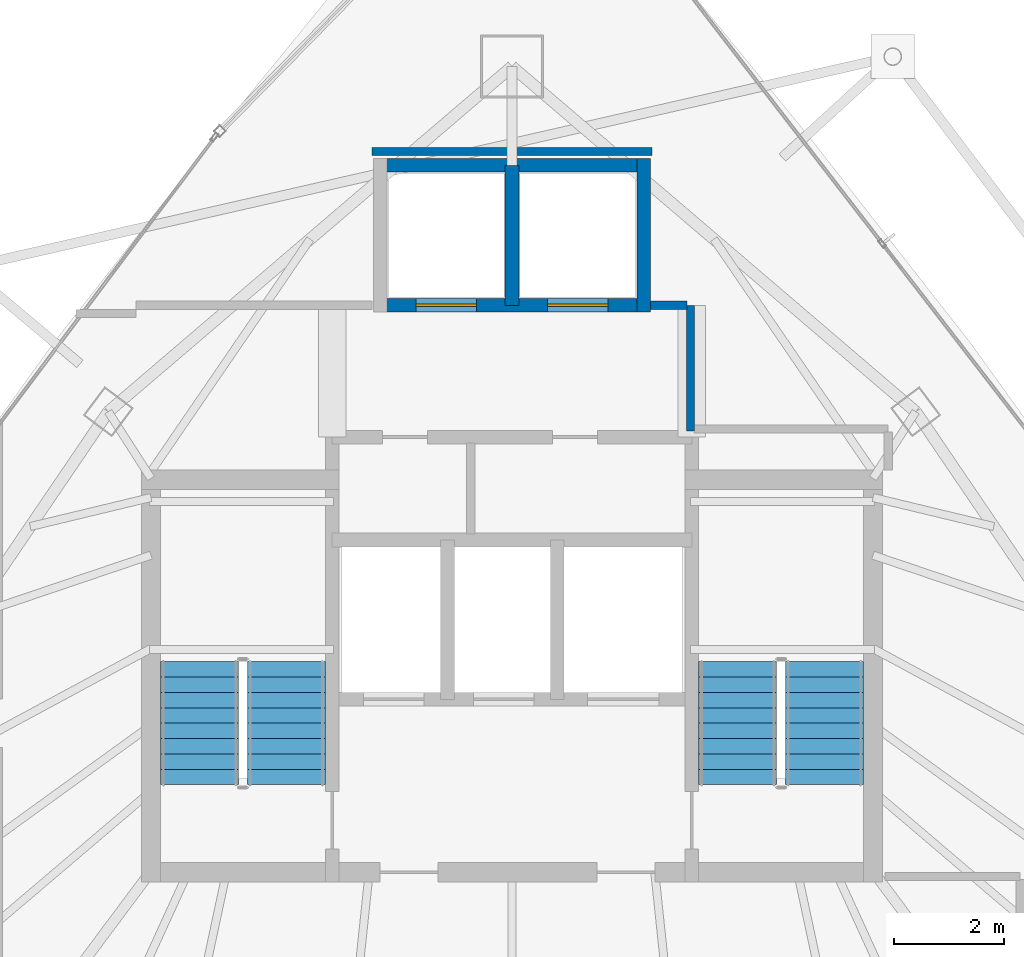
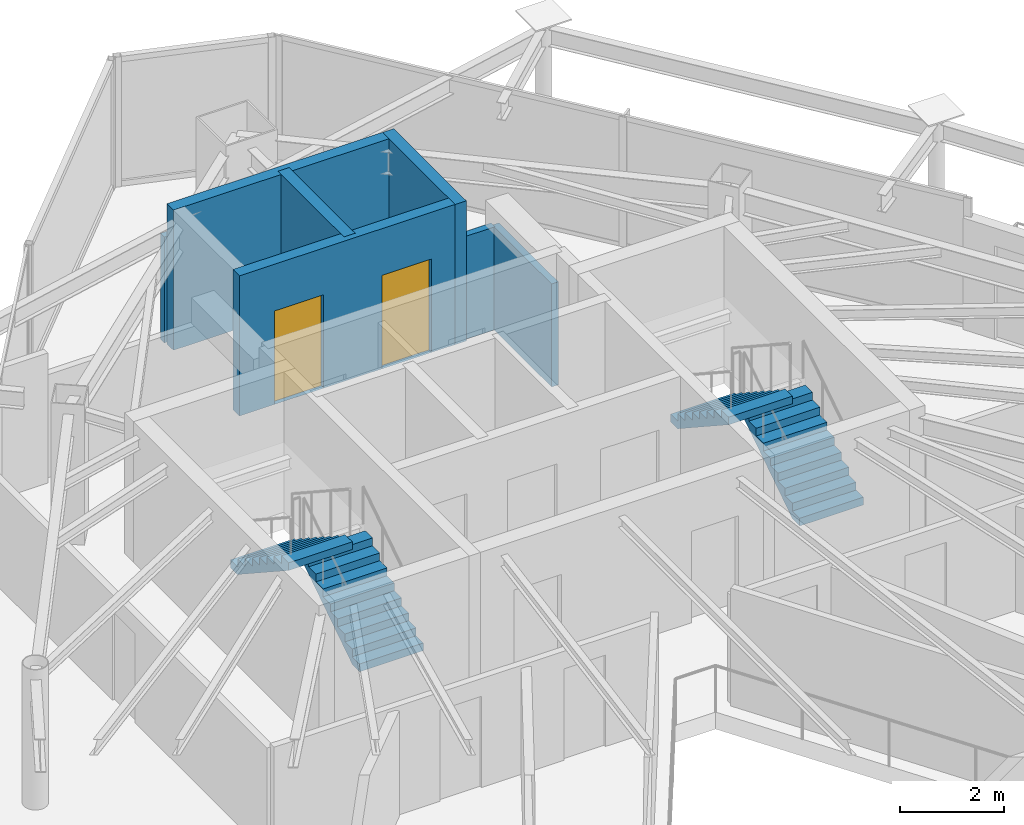
# One storey, part 27 of 29: 7 walls, 4 stair flights, 2 doors, 2 openings, 2 elements without a shape of their own.
"""IFC4 building model written with IfcOpenShell, lengths in metres."""

import ifcopenshell
import ifcopenshell.guid

model = None  # the IFC model being written
_history = None  # IfcOwnerHistory: only IFC2X3 demands one
_inside = {}  # id of a spatial element -> (the spatial element, [elements in it])
_under = {}  # id of a project, library or spatial element -> (it, [spatial elements below it])
_declared = {}  # id of a project -> (the project, [libraries it declares])
_typed = {}  # id of a type object -> (the type object, [elements of that type])
_made_of = {}  # id of a material, layer set ... -> (it, [elements and type objects made of it])


def new_model(schema):
    """Start an empty IFC model of exactly this schema.

    Asked for "IFC4X3", IfcOpenShell would pick the latest addendum, in which some entities
    have other attributes; the version numbers below select the first issue.
    IFC2X3 requires an IfcOwnerHistory on every rooted entity: one is made here for all.
    """
    global model, _history
    if schema == "IFC4X3":
        model = ifcopenshell.file(schema_version=(4, 3, 0, 0))
    else:
        model = ifcopenshell.file(schema=schema)
    _inside.clear()
    _under.clear()
    _declared.clear()
    _typed.clear()
    _made_of.clear()
    _history = None
    if model.schema == "IFC2X3":
        org = make("IfcOrganization", Name="unknown")
        user = make(
            "IfcPersonAndOrganization",
            ThePerson=make("IfcPerson", FamilyName="unknown"),
            TheOrganization=org,
        )
        app = make(
            "IfcApplication",
            ApplicationDeveloper=org,
            Version="unknown",
            ApplicationFullName="unknown",
            ApplicationIdentifier="unknown",
        )
        _history = make(
            "IfcOwnerHistory",
            OwningUser=user,
            OwningApplication=app,
            ChangeAction="ADDED",
            CreationDate=0,
        )
    return model


def make(cls, **values):
    """One entity of the class cls with the attributes given. An attribute that is None is left unset."""
    return model.create_entity(
        cls, **{name: value for name, value in values.items() if value is not None}
    )


def rooted(cls, **values):
    """An entity with a GlobalId (a new one), such as an element, a storey or a relation."""
    return make(cls, GlobalId=ifcopenshell.guid.new(), OwnerHistory=_history, **values)


def si_unit(unit_type, name, prefix=None):
    """IfcSIUnit, for example si_unit("LENGTHUNIT", "METRE", prefix="MILLI")."""
    return make("IfcSIUnit", UnitType=unit_type, Prefix=prefix, Name=name)


def assignment(units):
    """IfcUnitAssignment: the units of a project."""
    return None if units is None else make("IfcUnitAssignment", Units=units)


def point(xyz):
    """IfcCartesianPoint."""
    return None if xyz is None else make("IfcCartesianPoint", Coordinates=xyz)


def direction(xyz):
    """IfcDirection."""
    return None if xyz is None else make("IfcDirection", DirectionRatios=xyz)


def frame(location, z_axis=None, x_axis=None):
    """IfcAxis2Placement3D, a coordinate frame: its origin and axes. An axis left out is left unset."""
    return make(
        "IfcAxis2Placement3D",
        Location=point(location),
        Axis=direction(z_axis),
        RefDirection=direction(x_axis),
    )


def frame_2d(location, x_axis=None):
    """IfcAxis2Placement2D, a coordinate frame in the plane: its origin and x axis."""
    return make(
        "IfcAxis2Placement2D", Location=point(location), RefDirection=direction(x_axis)
    )


def origin():
    """The frame at (0, 0, 0) with its axes left unset."""
    return frame((0.0, 0.0, 0.0))


def place(relative_to, where):
    """IfcLocalPlacement: puts the frame where relative to a parent placement (None: the world)."""
    return make(
        "IfcLocalPlacement", PlacementRelTo=relative_to, RelativePlacement=where
    )


def context(
    kind, dimensions, precision=None, world=None, true_north=None, identifier=None
):
    """IfcGeometricRepresentationContext, for example the 3D "Model" context."""
    return make(
        "IfcGeometricRepresentationContext",
        ContextIdentifier=identifier,
        ContextType=kind,
        CoordinateSpaceDimension=dimensions,
        Precision=precision,
        WorldCoordinateSystem=world,
        TrueNorth=true_north,
    )


def subcontext(parent, identifier, kind, view, scale=None):
    """IfcGeometricRepresentationSubContext, for example "Body" below "Model"."""
    return make(
        "IfcGeometricRepresentationSubContext",
        ContextIdentifier=identifier,
        ContextType=kind,
        ParentContext=parent,
        TargetScale=scale,
        TargetView=view,
    )


def project(units=None, contexts=None):
    """IfcProject with its units and contexts."""
    return rooted(
        "IfcProject",
        Name="project",
        RepresentationContexts=contexts,
        UnitsInContext=assignment(units),
    )


def spatial(cls, under=None, at=None, **own):
    """A site, building, storey or space (cls), placed at a placement, below another one or the project."""
    s = rooted(cls, ObjectPlacement=at, **own)
    if under is not None:
        _under.setdefault(under.id(), (under, []))[1].append(s)
    return s


def polyline(points):
    """IfcPolyline through the points."""
    return make("IfcPolyline", Points=[point(p) for p in points])


def profile(cls, at=None, kind="AREA", **sizes):
    """A parametric profile (cls). Its sizes go by their IFC names, for example OverallWidth=200.0."""
    return make(cls, ProfileType=kind, Position=at, **sizes)


def rectangle(**sizes):
    """IfcRectangleProfileDef."""
    return profile("IfcRectangleProfileDef", **sizes)


def outline(outer, holes=None, kind="AREA"):
    """IfcArbitraryClosedProfileDef: a profile drawn as a closed curve; with holes, ...WithVoids."""
    if holes is None:
        return make("IfcArbitraryClosedProfileDef", ProfileType=kind, OuterCurve=outer)
    return make(
        "IfcArbitraryProfileDefWithVoids",
        ProfileType=kind,
        OuterCurve=outer,
        InnerCurves=holes,
    )


def extrude(swept, where, along, depth):
    """IfcExtrudedAreaSolid: the profile swept, set in the frame where, extruded along a direction by depth."""
    return make(
        "IfcExtrudedAreaSolid",
        SweptArea=swept,
        Position=where,
        ExtrudedDirection=direction(along),
        Depth=depth,
    )


def shape(context_of_items, identifier, shape_type, items):
    """IfcShapeRepresentation: the items that make up one representation, for example the "Body"."""
    return make(
        "IfcShapeRepresentation",
        ContextOfItems=context_of_items,
        RepresentationIdentifier=identifier,
        RepresentationType=shape_type,
        Items=items,
    )


def material(Name=None, Category=None):
    """IfcMaterial."""
    return make("IfcMaterial", Name=Name, Category=Category)


def layer(
    of_material, thickness, ventilated=None, Name=None, Category=None, Priority=None
):
    """IfcMaterialLayer: one layer of a wall or slab, of a material (None: an air gap)."""
    return make(
        "IfcMaterialLayer",
        Material=of_material,
        LayerThickness=thickness,
        IsVentilated=ventilated,
        Name=Name,
        Category=Category,
        Priority=Priority,
    )


def layer_set(layers, Name=None):
    """IfcMaterialLayerSet."""
    return make("IfcMaterialLayerSet", MaterialLayers=layers, LayerSetName=Name)


def made_of(thing, what):
    """Note that an element or type object is made of a material, layer set ...; save() writes the relation."""
    if what is not None:
        _made_of.setdefault(what.id(), (what, []))[1].append(thing)
    return thing


def type_object(cls, material=None, **own):
    """A type object (cls), such as IfcWallType, which elements share."""
    return made_of(rooted(cls, **own), material)


def element(
    cls,
    number,
    at=None,
    inside=None,
    cuts=None,
    type_object=None,
    material=None,
    context=None,
    identifier="Body",
    shape_type=None,
    held_by="IfcProductDefinitionShape",
    body=None,
    shapes=None,
    **own,
):
    """One element of the class cls, such as IfcWall. Its Tag is "e" and its number.

    at: its placement. inside: the storey or other place that contains it. cuts: it is an
    opening in that element (IfcRelVoidsElement). A single representation is given by context,
    identifier, shape_type and body (its items); several are given by shapes. held_by: the class
    of the entity that holds the representations. save() writes the other relations.
    """
    e = rooted(cls, Tag="e%d" % number, ObjectPlacement=at, **own)
    if body is not None:
        shapes = [shape(context, identifier, shape_type, body)]
    if shapes is not None:
        e.Representation = make(held_by, Representations=shapes)
    if inside is not None:
        _inside.setdefault(inside.id(), (inside, []))[1].append(e)
    if cuts is not None:
        rooted(
            "IfcRelVoidsElement", RelatingBuildingElement=cuts, RelatedOpeningElement=e
        )
    if type_object is not None:
        _typed.setdefault(type_object.id(), (type_object, []))[1].append(e)
    return made_of(e, material)


def fill(opening, filler):
    """IfcRelFillsElement: the door or window that sits in an opening."""
    return rooted(
        "IfcRelFillsElement",
        RelatingOpeningElement=opening,
        RelatedBuildingElement=filler,
    )


def aggregate(whole, parts):
    """IfcRelAggregates: a whole, such as a stair, and the parts it consists of."""
    return rooted("IfcRelAggregates", RelatingObject=whole, RelatedObjects=parts)


def save(model, path):
    """Write the relations noted so far, then the file.

    IfcRelAggregates (storeys below a building ...), IfcRelContainedInSpatialStructure (elements
    in a storey), IfcRelDefinesByType, IfcRelAssociatesMaterial and IfcRelDeclares: one each for
    every whole, place, type object, material and project.
    """
    for whole, parts in _under.values():
        aggregate(whole, parts)
    for where, things in _inside.values():
        rooted(
            "IfcRelContainedInSpatialStructure",
            RelatedElements=things,
            RelatingStructure=where,
        )
    for kind, things in _typed.values():
        rooted("IfcRelDefinesByType", RelatedObjects=things, RelatingType=kind)
    for what, things in _made_of.values():
        rooted("IfcRelAssociatesMaterial", RelatedObjects=things, RelatingMaterial=what)
    for by, libraries in _declared.values():
        rooted("IfcRelDeclares", RelatingContext=by, RelatedDefinitions=libraries)
    model.write(path)


model = new_model("IFC4")

# Units and contexts
model_context = context("Model", 3, precision=1e-05, world=origin(), true_north=direction((0.0, 1.0)))
body_context = subcontext(model_context, "Body", "Model", "MODEL_VIEW")
ifc_project = project(units=[si_unit("LENGTHUNIT", "METRE"), si_unit("AREAUNIT", "SQUARE_METRE"), si_unit("VOLUMEUNIT", "CUBIC_METRE"), si_unit("PLANEANGLEUNIT", "RADIAN"), si_unit("MASSUNIT", "GRAM", prefix="KILO")], contexts=[model_context])

# Site, building, storey
site_placement = place(None, origin())
site = spatial("IfcSite", under=ifc_project, at=site_placement, CompositionType="ELEMENT")
building_placement = place(site_placement, origin())
building = spatial("IfcBuilding", under=site, at=building_placement, Name="Orvanel Arch Residences", CompositionType="ELEMENT")
storey_placement = place(building_placement, frame((0.0, 0.0, 256.85009765625)))
storey = spatial("IfcBuildingStorey", under=building, at=storey_placement, Name="L73", CompositionType="ELEMENT", Elevation=256.85009765625)

# Wall, openings, doors
ifc_material_1 = material(Name="Concrete N50 (50 MPa)", Category="concrete")
ifc_layer_1 = layer(ifc_material_1, 0.25)
ifc_layer_set_1 = layer_set([ifc_layer_1], Name="Concrete N50 (50 MPa)")
wall_type_1 = type_object("IfcWallType", Name="SW-CORE-250", PredefinedType="SHEAR", material=ifc_layer_set_1)
wall_1_placement = place(storey_placement, frame((35.52490234375, 37.050048828125, 0.0), z_axis=(0.0, 0.0, 1.0), x_axis=(-1.0, 0.0, 0.0)))
wall_1 = element("IfcWall", 1, at=wall_1_placement, inside=storey, type_object=wall_type_1, Name="L73 Passenger Lift Bank Front Shear Wall", PredefinedType="SHEAR", context=body_context, shape_type="SweptSolid", body=[
    extrude(rectangle(XDim=5.0498046875, YDim=0.25, at=frame_2d((2.52490234375, 0.0))), origin(), (0.0, 0.0, 1.0), 3.2998046875),
])
opening_1_placement = place(wall_1_placement, frame((3.175048828125, 0.0, 0.0)))
opening_1 = element("IfcOpeningElement", 2, at=opening_1_placement, cuts=wall_1, Name="Opening LD-110", PredefinedType="OPENING", context=body_context, shape_type="SweptSolid", body=[
    extrude(rectangle(XDim=1.10009765625, YDim=2.199951171875, at=frame_2d((0.550048828125, 1.10009765625))), frame((0.0, 0.135009765625, 0.0), z_axis=(0.0, -1.0, 0.0), x_axis=(1.0, 0.0, 0.0)), (0.0, 0.0, 1.0), 0.27001953125),
])
opening_2_placement = place(wall_1_placement, frame((0.77490234375, 0.0, 0.0)))
opening_2 = element("IfcOpeningElement", 3, at=opening_2_placement, cuts=wall_1, Name="Opening LD-110", PredefinedType="OPENING", context=body_context, shape_type="SweptSolid", body=[
    extrude(rectangle(XDim=1.10009765625, YDim=2.199951171875, at=frame_2d((0.550048828125, 1.10009765625))), frame((0.0, 0.135009765625, 0.0), z_axis=(0.0, -1.0, 0.0), x_axis=(1.0, 0.0, 0.0)), (0.0, 0.0, 1.0), 0.27001953125),
])
ifc_material_2 = material(Name="Galvanised steel fire-resisting door assembly", Category="steel")
door_type = type_object("IfcDoorType", Name="DR-LFT-1100", OperationType="NOTDEFINED", PredefinedType="DOOR", material=ifc_material_2)
door_1_placement = place(opening_1_placement, origin())
door_1 = element("IfcDoor", 4, at=door_1_placement, inside=storey, type_object=door_type, Name="LD-P5-L73 L73 Passenger Lift P5 Sliding Landing Door", OperationType="DOUBLE_DOOR_SLIDING", OverallHeight=2.199951171875, OverallWidth=1.10009765625, PredefinedType="DOOR", context=body_context, shape_type="SweptSolid", body=[
    extrude(rectangle(XDim=1.10009765625, YDim=2.199951171875, at=frame_2d((0.550048828125, 1.10009765625))), frame((0.0, 0.02490234375, 0.0), z_axis=(0.0, -1.0, 0.0), x_axis=(1.0, 0.0, 0.0)), (0.0, 0.0, 1.0), 0.050048828125),
])
fill(opening_1, door_1)
door_2_placement = place(opening_2_placement, origin())
door_2 = element("IfcDoor", 5, at=door_2_placement, inside=storey, type_object=door_type, Name="LD-P6-L73 L73 Passenger Lift P6 Sliding Landing Door", OperationType="DOUBLE_DOOR_SLIDING", OverallHeight=2.199951171875, OverallWidth=1.10009765625, PredefinedType="DOOR", context=body_context, shape_type="SweptSolid", body=[
    extrude(rectangle(XDim=1.10009765625, YDim=2.199951171875, at=frame_2d((0.550048828125, 1.10009765625))), frame((0.0, 0.02490234375, 0.0), z_axis=(0.0, -1.0, 0.0), x_axis=(1.0, 0.0, 0.0)), (0.0, 0.0, 1.0), 0.050048828125),
])
fill(opening_2, door_2)

# Walls
wall_2_placement = place(storey_placement, frame((30.47509765625, 39.60009765625, 0.0), z_axis=(0.0, 0.0, 1.0), x_axis=(1.0, 0.0, 0.0)))
element("IfcWall", 6, at=wall_2_placement, inside=storey, type_object=wall_type_1, Name="L73 Passenger Lift Bank North Shear Wall", PredefinedType="SHEAR", context=body_context, shape_type="SweptSolid", body=[
    extrude(rectangle(XDim=5.0498046875, YDim=0.25, at=frame_2d((2.52490234375, 0.0))), origin(), (0.0, 0.0, 1.0), 3.2998046875),
])
wall_3_placement = place(storey_placement, frame((35.39990234375, 36.925048828125, 0.0), z_axis=(0.0, 0.0, 1.0), x_axis=(0.0, 1.0, 0.0)))
element("IfcWall", 7, at=wall_3_placement, inside=storey, type_object=wall_type_1, Name="L73 Passenger Lift Bank East Shear Wall", PredefinedType="SHEAR", context=body_context, shape_type="SweptSolid", body=[
    extrude(rectangle(XDim=2.800048828125, YDim=0.25, at=frame_2d((1.39990234375, 0.0))), origin(), (0.0, 0.0, 1.0), 3.2998046875),
])
wall_4_placement = place(storey_placement, frame((33.0, 37.050048828125, 0.0), z_axis=(0.0, 0.0, 1.0), x_axis=(0.0, 1.0, 0.0)))
element("IfcWall", 8, at=wall_4_placement, inside=storey, type_object=wall_type_1, Name="L73 Passenger Lift Inter-Shaft Wall P56", PredefinedType="SHEAR", context=body_context, shape_type="SweptSolid", body=[
    extrude(rectangle(XDim=2.550048828125, YDim=0.25, at=frame_2d((1.27490234375, 0.0))), origin(), (0.0, 0.0, 1.0), 3.2998046875),
])
ifc_material_3 = material(Name="Fire-rated plasterboard lined steel stud partition", Category="steel")
ifc_layer_2 = layer(ifc_material_3, 0.14990234375)
ifc_layer_set_2 = layer_set([ifc_layer_2], Name="Fire-rated plasterboard lined steel stud partition")
wall_type_2 = type_object("IfcWallType", Name="W-COR-150", PredefinedType="PARTITIONING", material=ifc_layer_set_2)
wall_5_placement = place(storey_placement, frame((36.25, 34.760009765625, 0.0), z_axis=(0.0, 0.0, 1.0), x_axis=(0.0, 1.0, 0.0)))
element("IfcWall", 9, at=wall_5_placement, inside=storey, type_object=wall_type_2, Name="L73 Passenger Lift Lobby East Closure Wall", PredefinedType="PARTITIONING", context=body_context, shape_type="SweptSolid", body=[
    extrude(rectangle(XDim=2.2900390625, YDim=0.14990234375, at=frame_2d((1.14501953125, 0.0))), origin(), (0.0, 0.0, 1.0), 2.4248046875),
])
wall_6_placement = place(storey_placement, frame((35.52490234375, 37.050048828125, 0.0), z_axis=(0.0, 0.0, 1.0), x_axis=(1.0, 0.0, 0.0)))
element("IfcWall", 10, at=wall_6_placement, inside=storey, type_object=wall_type_2, Name="L73 Passenger Lift Lobby North-East Wall", PredefinedType="PARTITIONING", context=body_context, shape_type="SweptSolid", body=[
    extrude(rectangle(XDim=0.6650390625, YDim=0.14990234375, at=frame_2d((0.33251953125, 0.0))), origin(), (0.0, 0.0, 1.0), 2.4248046875),
])
wall_7_placement = place(storey_placement, frame((30.449951171875, 39.85009765625, 0.0), z_axis=(0.0, 0.0, 1.0), x_axis=(1.0, 0.0, 0.0)))
element("IfcWall", 11, at=wall_7_placement, inside=storey, type_object=wall_type_2, Name="L73 Core Perimeter Partition", PredefinedType="PARTITIONING", context=body_context, shape_type="SweptSolid", body=[
    extrude(rectangle(XDim=5.10009765625, YDim=0.14990234375, at=frame_2d((2.550048828125, 0.0))), origin(), (0.0, 0.0, 1.0), 2.491943359375),
])

# Stair, stair flights
ifc_material_4 = material(Name="Precast concrete N50 (50 MPa)", Category="concrete")
stair_type = type_object("IfcStairType", Name="STR-DOG-184", PredefinedType="USERDEFINED", material=ifc_material_4)
stair_1_placement = place(storey_placement, origin())
stair_1 = element("IfcStair", 12, at=stair_1_placement, inside=storey, type_object=stair_type, Name="L73 Fire-Isolated Core Exit Stair 1", ObjectType="TWO_RETURN_STAIR", PredefinedType="USERDEFINED")
stair_flight_type_1 = type_object("IfcStairFlightType", Name="SFL-C1-184", PredefinedType="STRAIGHT", material=ifc_material_4)
stair_flight_1_placement = place(storey_placement, frame((28.889892578125, 28.320068359375, 0.0), z_axis=(0.0, 0.0, 1.0), x_axis=(0.0, 1.0, 0.0)))
stair_flight_1 = element("IfcStairFlight", 13, at=stair_flight_1_placement, type_object=stair_flight_type_1, Name="ST-1 flight 1", NumberOfRisers=9, NumberOfTreads=8, PredefinedType="STRAIGHT", RiserHeight=0.183333333, TreadLength=0.28, context=body_context, shape_type="SweptSolid", body=[
    extrude(outline(polyline([(0.0, 0.0), (0.0, 0.183349609375), (0.280029296875, 0.183349609375), (0.280029296875, 0.36669921875), (0.56005859375, 0.36669921875), (0.56005859375, 0.550048828125), (0.840087890625, 0.550048828125), (0.840087890625, 0.7333984375), (1.1201171875, 0.7333984375), (1.1201171875, 0.916748046875), (1.39990234375, 0.916748046875), (1.39990234375, 1.10009765625), (1.679931640625, 1.10009765625), (1.679931640625, 1.283447265625), (1.9599609375, 1.283447265625), (1.9599609375, 1.466552734375), (2.239990234375, 1.466552734375), (2.239990234375, 1.64990234375), (2.239990234375, 1.28759765625), (0.273681640625, 0.0), (0.0, 0.0)])), frame((0.0, 0.7099609375, 0.0), z_axis=(0.0, -1.0, 0.0), x_axis=(1.0, 0.0, 0.0)), (0.0, 0.0, 1.0), 1.419921875),
])
stair_flight_2_placement = place(storey_placement, frame((27.31005859375, 30.56005859375, 1.64990234375), z_axis=(0.0, 0.0, 1.0), x_axis=(0.0, -1.0, 0.0)))
stair_flight_2 = element("IfcStairFlight", 14, at=stair_flight_2_placement, type_object=stair_flight_type_1, Name="ST-1 flight 2", NumberOfRisers=9, NumberOfTreads=8, PredefinedType="STRAIGHT", RiserHeight=0.183333333, TreadLength=0.28, context=body_context, shape_type="SweptSolid", body=[
    extrude(outline(polyline([(0.0, 0.0), (0.0, 0.183349609375), (0.280029296875, 0.183349609375), (0.280029296875, 0.36669921875), (0.56005859375, 0.36669921875), (0.56005859375, 0.550048828125), (0.840087890625, 0.550048828125), (0.840087890625, 0.7333984375), (1.1201171875, 0.7333984375), (1.1201171875, 0.916748046875), (1.39990234375, 0.916748046875), (1.39990234375, 1.10009765625), (1.679931640625, 1.10009765625), (1.679931640625, 1.283447265625), (1.9599609375, 1.283447265625), (1.9599609375, 1.466552734375), (2.239990234375, 1.466552734375), (2.239990234375, 1.64990234375), (2.239990234375, 1.28759765625), (0.273681640625, 0.0), (0.0, 0.0)])), frame((0.0, 0.7099609375, 0.0), z_axis=(0.0, -1.0, 0.0), x_axis=(1.0, 0.0, 0.0)), (0.0, 0.0, 1.0), 1.419921875),
])
aggregate(stair_1, [stair_flight_1, stair_flight_2])

stair_2_placement = place(storey_placement, origin())
stair_2 = element("IfcStair", 15, at=stair_2_placement, inside=storey, type_object=stair_type, Name="L73 Fire-Isolated Core Exit Stair 2", ObjectType="TWO_RETURN_STAIR", PredefinedType="USERDEFINED")
stair_flight_type_2 = type_object("IfcStairFlightType", Name="SFL-C2-184", PredefinedType="STRAIGHT", material=ifc_material_4)
stair_flight_3_placement = place(storey_placement, frame((38.68994140625, 28.320068359375, 0.0), z_axis=(0.0, 0.0, 1.0), x_axis=(0.0, 1.0, 0.0)))
stair_flight_3 = element("IfcStairFlight", 16, at=stair_flight_3_placement, type_object=stair_flight_type_2, Name="ST-2 flight 1", NumberOfRisers=9, NumberOfTreads=8, PredefinedType="STRAIGHT", RiserHeight=0.183333333, TreadLength=0.28, context=body_context, shape_type="SweptSolid", body=[
    extrude(outline(polyline([(0.0, 0.0), (0.0, 0.183349609375), (0.280029296875, 0.183349609375), (0.280029296875, 0.36669921875), (0.56005859375, 0.36669921875), (0.56005859375, 0.550048828125), (0.840087890625, 0.550048828125), (0.840087890625, 0.7333984375), (1.1201171875, 0.7333984375), (1.1201171875, 0.916748046875), (1.39990234375, 0.916748046875), (1.39990234375, 1.10009765625), (1.679931640625, 1.10009765625), (1.679931640625, 1.283447265625), (1.9599609375, 1.283447265625), (1.9599609375, 1.466552734375), (2.239990234375, 1.466552734375), (2.239990234375, 1.64990234375), (2.239990234375, 1.28759765625), (0.273681640625, 0.0), (0.0, 0.0)])), frame((0.0, 0.7099609375, 0.0), z_axis=(0.0, -1.0, 0.0), x_axis=(1.0, 0.0, 0.0)), (0.0, 0.0, 1.0), 1.419921875),
])
stair_flight_4_placement = place(storey_placement, frame((37.110107421875, 30.56005859375, 1.64990234375), z_axis=(0.0, 0.0, 1.0), x_axis=(0.0, -1.0, 0.0)))
stair_flight_4 = element("IfcStairFlight", 17, at=stair_flight_4_placement, type_object=stair_flight_type_2, Name="ST-2 flight 2", NumberOfRisers=9, NumberOfTreads=8, PredefinedType="STRAIGHT", RiserHeight=0.183333333, TreadLength=0.28, context=body_context, shape_type="SweptSolid", body=[
    extrude(outline(polyline([(0.0, 0.0), (0.0, 0.183349609375), (0.280029296875, 0.183349609375), (0.280029296875, 0.36669921875), (0.56005859375, 0.36669921875), (0.56005859375, 0.550048828125), (0.840087890625, 0.550048828125), (0.840087890625, 0.7333984375), (1.1201171875, 0.7333984375), (1.1201171875, 0.916748046875), (1.39990234375, 0.916748046875), (1.39990234375, 1.10009765625), (1.679931640625, 1.10009765625), (1.679931640625, 1.283447265625), (1.9599609375, 1.283447265625), (1.9599609375, 1.466552734375), (2.239990234375, 1.466552734375), (2.239990234375, 1.64990234375), (2.239990234375, 1.28759765625), (0.273681640625, 0.0), (0.0, 0.0)])), frame((0.0, 0.7099609375, 0.0), z_axis=(0.0, -1.0, 0.0), x_axis=(1.0, 0.0, 0.0)), (0.0, 0.0, 1.0), 1.419921875),
])
aggregate(stair_2, [stair_flight_3, stair_flight_4])

save(model, "model.ifc")
